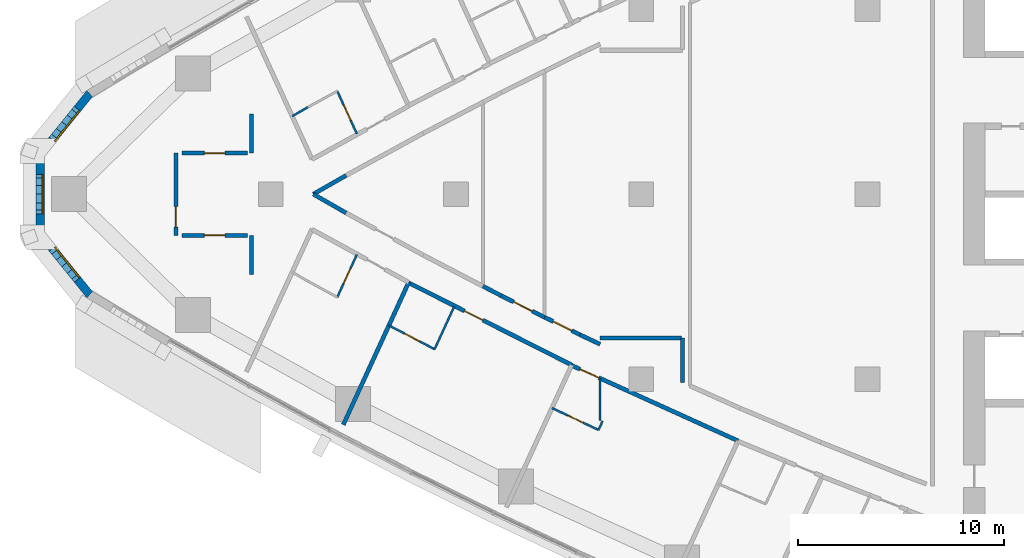
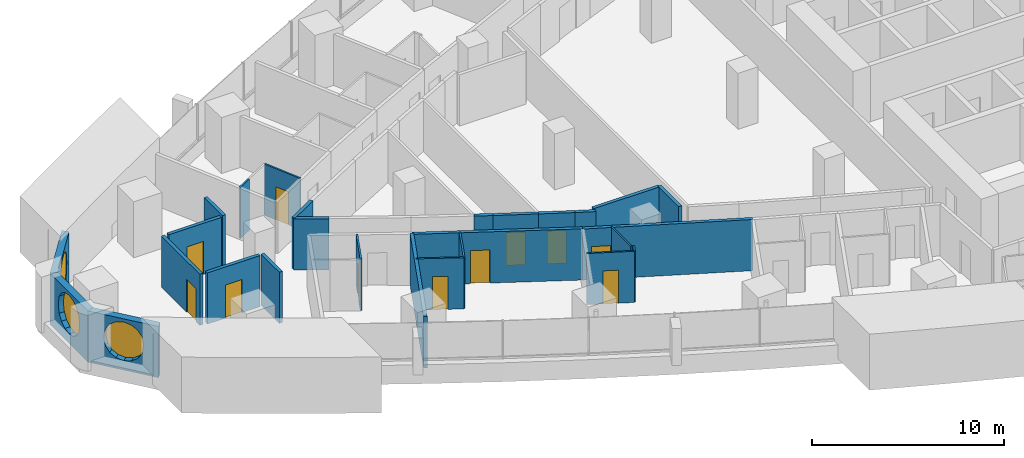
# One storey, part 8 of 17: 27 walls, 11 doors, 3 windows, 14 openings.
"""IFC4 building model written with IfcOpenShell, lengths in metres."""

from ifc_helpers import new_model, si_unit, direction, frame, frame_2d, origin, place, context, subcontext, project, spatial, polyline, rectangle, outline, extrude, material, layer, layer_set, type_object, element, fill, save


model = new_model("IFC4")

# Units and contexts
model_context = context("Model", 3, precision=1e-05, world=origin(), true_north=direction((0.0, 1.0)))
body_context = subcontext(model_context, "Body", "Model", "MODEL_VIEW")
ifc_project = project(units=[si_unit("LENGTHUNIT", "METRE"), si_unit("AREAUNIT", "SQUARE_METRE"), si_unit("VOLUMEUNIT", "CUBIC_METRE"), si_unit("PLANEANGLEUNIT", "RADIAN"), si_unit("MASSUNIT", "GRAM", prefix="KILO")], contexts=[model_context])

# Site, building, storey
site_placement = place(None, origin())
site = spatial("IfcSite", under=ifc_project, at=site_placement, CompositionType="ELEMENT")
building_placement = place(site_placement, origin())
building = spatial("IfcBuilding", under=site, at=building_placement, Name="Ostrand Prow Hotel Tower", CompositionType="ELEMENT")
storey_placement = place(building_placement, frame((0.0, 0.0, 113.300048828125)))
storey = spatial("IfcBuildingStorey", under=building, at=storey_placement, Name="L27", CompositionType="ELEMENT", Elevation=113.300048828125)

# Wall
ifc_material_1 = material(Name="Plasterboard partition")
ifc_layer_1 = layer(ifc_material_1, 0.10009765625)
ifc_layer_set_1 = layer_set([ifc_layer_1], Name="Plasterboard partition")
wall_type_1 = type_object("IfcWallType", Name="Partition 100 bathroom wall", PredefinedType="PARTITIONING", material=ifc_layer_set_1)
wall_1_placement = place(storey_placement, frame((17.0361328125, 3.7900390625, 0.0), z_axis=(0.0, 0.0, 1.0), x_axis=(0.867629162742, 0.497211862248, 0.0)))
element("IfcWall", 1, at=wall_1_placement, inside=storey, type_object=wall_type_1, Name="BATHROOM WALL", PredefinedType="PARTITIONING", context=body_context, shape_type="SweptSolid", body=[
    extrude(rectangle(XDim=0.8818359375, YDim=0.10009765625, at=frame_2d((0.44091796875, 0.0))), origin(), (0.0, 0.0, 1.0), 3.25),
])

# Wall, opening, door
wall_2_placement = place(storey_placement, frame((19.2275390625, 5.00830078125, 0.0), z_axis=(0.0, 0.0, 1.0), x_axis=(0.417450047292, -0.908699872354, 0.0)))
wall_2 = element("IfcWall", 2, at=wall_2_placement, inside=storey, type_object=wall_type_1, Name="BATHROOM WALL", PredefinedType="PARTITIONING", context=body_context, shape_type="SweptSolid", body=[
    extrude(rectangle(XDim=2.28271484375, YDim=0.10009765625, at=frame_2d((1.141357421875, 0.0))), origin(), (0.0, 0.0, 1.0), 3.25),
])
opening_1_placement = place(wall_2_placement, frame((0.75, 0.0, 0.0)))
opening_1 = element("IfcOpeningElement", 3, at=opening_1_placement, cuts=wall_2, Name="Opening D2", PredefinedType="OPENING", context=body_context, shape_type="SweptSolid", body=[
    extrude(rectangle(XDim=0.800048828125, YDim=2.10009765625, at=frame_2d((0.39990234375, 1.050048828125))), frame((0.0, 0.06005859375, 0.0), z_axis=(0.0, -1.0, 0.0), x_axis=(1.0, 0.0, 0.0)), (0.0, 0.0, 1.0), 0.1201171875),
])
ifc_material_2 = material(Name="Timber door leaf", Category="wood")
door_type_1 = type_object("IfcDoorType", Name="Bathroom door 800", OperationType="SINGLE_SWING_LEFT", PredefinedType="DOOR", material=ifc_material_2)
door_1_placement = place(opening_1_placement, origin())
door_1 = element("IfcDoor", 4, at=door_1_placement, inside=storey, type_object=door_type_1, Name="DOOR", OperationType="SINGLE_SWING_LEFT", OverallHeight=2.10009765625, OverallWidth=0.800048828125, PredefinedType="DOOR", context=body_context, shape_type="SweptSolid", body=[
    extrude(rectangle(XDim=0.800048828125, YDim=2.10009765625, at=frame_2d((0.39990234375, 1.050048828125))), frame((0.0, 0.02490234375, 0.0), z_axis=(0.0, -1.0, 0.0), x_axis=(1.0, 0.0, 0.0)), (0.0, 0.0, 1.0), 0.050048828125),
])
fill(opening_1, door_1)

wall_3_placement = place(storey_placement, frame((20.180419921875, -2.93408203125, 0.0), z_axis=(0.0, 0.0, 1.0), x_axis=(-0.417450047292, -0.908699872354, 0.0)))
wall_3 = element("IfcWall", 5, at=wall_3_placement, inside=storey, type_object=wall_type_1, Name="BATHROOM WALL", PredefinedType="PARTITIONING", context=body_context, shape_type="SweptSolid", body=[
    extrude(rectangle(XDim=2.28271484375, YDim=0.10009765625, at=frame_2d((1.141357421875, 0.0))), origin(), (0.0, 0.0, 1.0), 3.25),
])
opening_2_placement = place(wall_3_placement, frame((0.75, 0.0, 0.0)))
opening_2 = element("IfcOpeningElement", 6, at=opening_2_placement, cuts=wall_3, Name="Opening D2", PredefinedType="OPENING", context=body_context, shape_type="SweptSolid", body=[
    extrude(rectangle(XDim=0.800048828125, YDim=2.10009765625, at=frame_2d((0.39990234375, 1.050048828125))), frame((0.0, 0.06005859375, 0.0), z_axis=(0.0, -1.0, 0.0), x_axis=(1.0, 0.0, 0.0)), (0.0, 0.0, 1.0), 0.1201171875),
])
door_2_placement = place(opening_2_placement, origin())
door_2 = element("IfcDoor", 7, at=door_2_placement, inside=storey, type_object=door_type_1, Name="DOOR", OperationType="SINGLE_SWING_LEFT", OverallHeight=2.10009765625, OverallWidth=0.800048828125, PredefinedType="DOOR", context=body_context, shape_type="SweptSolid", body=[
    extrude(rectangle(XDim=0.800048828125, YDim=2.10009765625, at=frame_2d((0.39990234375, 1.050048828125))), frame((0.0, 0.02490234375, 0.0), z_axis=(0.0, -1.0, 0.0), x_axis=(1.0, 0.0, 0.0)), (0.0, 0.0, 1.0), 0.050048828125),
])
fill(opening_2, door_2)

# Wall
wall_4_placement = place(storey_placement, frame((24.9091796875, -5.4619140625, 0.0), z_axis=(0.0, 0.0, 1.0), x_axis=(-0.417454762401, -0.908697706253, 0.0)))
element("IfcWall", 8, at=wall_4_placement, inside=storey, type_object=wall_type_1, Name="BATHROOM WALL", PredefinedType="PARTITIONING", context=body_context, shape_type="SweptSolid", body=[
    extrude(rectangle(XDim=2.27978515625, YDim=0.10009765625, at=frame_2d((1.139892578125, 0.0))), origin(), (0.0, 0.0, 1.0), 3.25),
])

# Wall, opening, door
wall_5_placement = place(storey_placement, frame((23.95751953125, -7.533447265625, 0.0), z_axis=(0.0, 0.0, 1.0), x_axis=(-0.886911586599, 0.461939214135, 0.0)))
wall_5 = element("IfcWall", 9, at=wall_5_placement, inside=storey, type_object=wall_type_1, Name="BATHROOM WALL", PredefinedType="PARTITIONING", context=body_context, shape_type="SweptSolid", body=[
    extrude(rectangle(XDim=2.5029296875, YDim=0.10009765625, at=frame_2d((1.25146484375, 0.0))), origin(), (0.0, 0.0, 1.0), 3.25),
])
opening_3_placement = place(wall_5_placement, frame((0.85009765625, 0.0, 0.0)))
opening_3 = element("IfcOpeningElement", 10, at=opening_3_placement, cuts=wall_5, Name="Opening D2", PredefinedType="OPENING", context=body_context, shape_type="SweptSolid", body=[
    extrude(rectangle(XDim=0.800048828125, YDim=2.10009765625, at=frame_2d((0.39990234375, 1.050048828125))), frame((0.0, 0.06005859375, 0.0), z_axis=(0.0, -1.0, 0.0), x_axis=(1.0, 0.0, 0.0)), (0.0, 0.0, 1.0), 0.1201171875),
])
door_3_placement = place(opening_3_placement, origin())
door_3 = element("IfcDoor", 11, at=door_3_placement, inside=storey, type_object=door_type_1, Name="DOOR", OperationType="SINGLE_SWING_LEFT", OverallHeight=2.10009765625, OverallWidth=0.800048828125, PredefinedType="DOOR", context=body_context, shape_type="SweptSolid", body=[
    extrude(rectangle(XDim=0.800048828125, YDim=2.10009765625, at=frame_2d((0.39990234375, 1.050048828125))), frame((0.0, 0.02490234375, 0.0), z_axis=(0.0, -1.0, 0.0), x_axis=(1.0, 0.0, 0.0)), (0.0, 0.0, 1.0), 0.050048828125),
])
fill(opening_3, door_3)

# Wall
wall_6_placement = place(storey_placement, frame((32.123779296875, -11.022216796875, 0.0), z_axis=(0.0, 0.0, 1.0), x_axis=(-0.4176025781, -0.908629785316, 0.0)))
element("IfcWall", 12, at=wall_6_placement, inside=storey, type_object=wall_type_1, Name="BATHROOM WALL", PredefinedType="PARTITIONING", context=body_context, shape_type="SweptSolid", body=[
    extrude(rectangle(XDim=0.478759765625, YDim=0.10009765625, at=frame_2d((0.2392578125, 0.0))), origin(), (0.0, 0.0, 1.0), 3.25),
])

# Wall, opening, door
wall_7_placement = place(storey_placement, frame((31.923828125, -11.457275390625, 0.0), z_axis=(0.0, 0.0, 1.0), x_axis=(-0.904688082375, 0.426074493027, 0.0)))
wall_7 = element("IfcWall", 13, at=wall_7_placement, inside=storey, type_object=wall_type_1, Name="BATHROOM WALL", PredefinedType="PARTITIONING", context=body_context, shape_type="SweptSolid", body=[
    extrude(rectangle(XDim=2.5, YDim=0.10009765625, at=frame_2d((1.25, 0.0))), origin(), (0.0, 0.0, 1.0), 3.25),
])
opening_4_placement = place(wall_7_placement, frame((0.85009765625, 0.0, 0.0)))
opening_4 = element("IfcOpeningElement", 14, at=opening_4_placement, cuts=wall_7, Name="Opening D2", PredefinedType="OPENING", context=body_context, shape_type="SweptSolid", body=[
    extrude(rectangle(XDim=0.800048828125, YDim=2.10009765625, at=frame_2d((0.39990234375, 1.050048828125))), frame((0.0, 0.06005859375, 0.0), z_axis=(0.0, -1.0, 0.0), x_axis=(1.0, 0.0, 0.0)), (0.0, 0.0, 1.0), 0.1201171875),
])
door_4_placement = place(opening_4_placement, origin())
door_4 = element("IfcDoor", 15, at=door_4_placement, inside=storey, type_object=door_type_1, Name="DOOR", OperationType="SINGLE_SWING_LEFT", OverallHeight=2.10009765625, OverallWidth=0.800048828125, PredefinedType="DOOR", context=body_context, shape_type="SweptSolid", body=[
    extrude(rectangle(XDim=0.800048828125, YDim=2.10009765625, at=frame_2d((0.39990234375, 1.050048828125))), frame((0.0, 0.02490234375, 0.0), z_axis=(0.0, -1.0, 0.0), x_axis=(1.0, 0.0, 0.0)), (0.0, 0.0, 1.0), 0.050048828125),
])
fill(opening_4, door_4)

# Wall
wall_8_placement = place(storey_placement, frame((31.9951171875, -8.9541015625, 0.0), z_axis=(0.0, 0.0, 1.0), x_axis=(0.0, -1.0, 0.0)))
element("IfcWall", 16, at=wall_8_placement, inside=storey, type_object=wall_type_1, Name="BATHROOM WALL", PredefinedType="PARTITIONING", context=body_context, shape_type="SweptSolid", body=[
    extrude(rectangle(XDim=2.04638671875, YDim=0.10009765625, at=frame_2d((1.023193359375, 0.0))), origin(), (0.0, 0.0, 1.0), 3.25),
])

# Wall, opening, door
ifc_material_3 = material(Name="Plasterboard partition")
ifc_layer_2 = layer(ifc_material_3, 0.199951171875)
ifc_layer_set_2 = layer_set([ifc_layer_2], Name="Plasterboard partition")
wall_type_2 = type_object("IfcWallType", Name="Partition 200 corridor wall", PredefinedType="PARTITIONING", material=ifc_layer_set_2)
wall_9_placement = place(storey_placement, frame((11.685302734375, 2.0, 0.0), z_axis=(0.0, 0.0, 1.0), x_axis=(1.0, 0.0, 0.0)))
wall_9 = element("IfcWall", 17, at=wall_9_placement, inside=storey, type_object=wall_type_2, Name="CORRIDOR WALL", PredefinedType="PARTITIONING", context=body_context, shape_type="SweptSolid", body=[
    extrude(rectangle(XDim=3.16845703125, YDim=0.199951171875, at=frame_2d((1.584228515625, 0.0))), origin(), (0.0, 0.0, 1.0), 3.25),
])
opening_5_placement = place(wall_9_placement, frame((1.084228515625, 0.0, 0.0)))
opening_5 = element("IfcOpeningElement", 18, at=opening_5_placement, cuts=wall_9, Name="Opening D1", PredefinedType="OPENING", context=body_context, shape_type="SweptSolid", body=[
    extrude(rectangle(XDim=1.0, YDim=2.10009765625, at=frame_2d((0.5, 1.050048828125))), frame((0.0, 0.10986328125, 0.0), z_axis=(0.0, -1.0, 0.0), x_axis=(1.0, 0.0, 0.0)), (0.0, 0.0, 1.0), 0.219970703125),
])
ifc_material_4 = material(Name="Timber door leaf", Category="wood")
door_type_2 = type_object("IfcDoorType", Name="Guest room door 1000", OperationType="SINGLE_SWING_LEFT", PredefinedType="DOOR", material=ifc_material_4)
door_5_placement = place(opening_5_placement, origin())
door_5 = element("IfcDoor", 19, at=door_5_placement, inside=storey, type_object=door_type_2, Name="DOOR", OperationType="SINGLE_SWING_LEFT", OverallHeight=2.10009765625, OverallWidth=1.0, PredefinedType="DOOR", context=body_context, shape_type="SweptSolid", body=[
    extrude(rectangle(XDim=1.0, YDim=2.10009765625, at=frame_2d((0.5, 1.050048828125))), frame((0.0, 0.02490234375, 0.0), z_axis=(0.0, -1.0, 0.0), x_axis=(1.0, 0.0, 0.0)), (0.0, 0.0, 1.0), 0.050048828125),
])
fill(opening_5, door_5)

wall_10_placement = place(storey_placement, frame((11.685302734375, -2.0, 0.0), z_axis=(0.0, 0.0, 1.0), x_axis=(1.0, 0.0, 0.0)))
wall_10 = element("IfcWall", 20, at=wall_10_placement, inside=storey, type_object=wall_type_2, Name="CORRIDOR WALL", PredefinedType="PARTITIONING", context=body_context, shape_type="SweptSolid", body=[
    extrude(rectangle(XDim=3.16845703125, YDim=0.199951171875, at=frame_2d((1.584228515625, 0.0))), origin(), (0.0, 0.0, 1.0), 3.25),
])
opening_6_placement = place(wall_10_placement, frame((1.084228515625, 0.0, 0.0)))
opening_6 = element("IfcOpeningElement", 21, at=opening_6_placement, cuts=wall_10, Name="Opening D1R", PredefinedType="OPENING", context=body_context, shape_type="SweptSolid", body=[
    extrude(rectangle(XDim=1.0, YDim=2.10009765625, at=frame_2d((0.5, 1.050048828125))), frame((0.0, 0.10986328125, 0.0), z_axis=(0.0, -1.0, 0.0), x_axis=(1.0, 0.0, 0.0)), (0.0, 0.0, 1.0), 0.219970703125),
])
ifc_material_5 = material(Name="Timber door leaf", Category="wood")
door_type_3 = type_object("IfcDoorType", Name="Guest room door 1000 right", OperationType="SINGLE_SWING_RIGHT", PredefinedType="DOOR", material=ifc_material_5)
door_6_placement = place(opening_6_placement, origin())
door_6 = element("IfcDoor", 22, at=door_6_placement, inside=storey, type_object=door_type_3, Name="DOOR", OperationType="SINGLE_SWING_RIGHT", OverallHeight=2.10009765625, OverallWidth=1.0, PredefinedType="DOOR", context=body_context, shape_type="SweptSolid", body=[
    extrude(rectangle(XDim=1.0, YDim=2.10009765625, at=frame_2d((0.5, 1.050048828125))), frame((0.0, 0.02490234375, 0.0), z_axis=(0.0, -1.0, 0.0), x_axis=(1.0, 0.0, 0.0)), (0.0, 0.0, 1.0), 0.050048828125),
])
fill(opening_6, door_6)

wall_11_placement = place(storey_placement, frame((22.6904296875, -4.302490234375, 0.0), z_axis=(0.0, 0.0, 1.0), x_axis=(0.892904919467, -0.450245271815, 0.0)))
wall_11 = element("IfcWall", 23, at=wall_11_placement, inside=storey, type_object=wall_type_2, Name="CORRIDOR WALL", PredefinedType="PARTITIONING", context=body_context, shape_type="SweptSolid", body=[
    extrude(rectangle(XDim=8.883056640625, YDim=0.199951171875, at=frame_2d((4.44140625, 0.0))), origin(), (0.0, 0.0, 1.0), 3.25),
])
opening_7_placement = place(wall_11_placement, frame((3.050048828125, 0.0, 0.0)))
opening_7 = element("IfcOpeningElement", 24, at=opening_7_placement, cuts=wall_11, Name="Opening D1R", PredefinedType="OPENING", context=body_context, shape_type="SweptSolid", body=[
    extrude(rectangle(XDim=1.0, YDim=2.10009765625, at=frame_2d((0.5, 1.050048828125))), frame((0.0, 0.10986328125, 0.0), z_axis=(0.0, -1.0, 0.0), x_axis=(1.0, 0.0, 0.0)), (0.0, 0.0, 1.0), 0.219970703125),
])
door_7_placement = place(opening_7_placement, origin())
door_7 = element("IfcDoor", 25, at=door_7_placement, inside=storey, type_object=door_type_3, Name="DOOR", OperationType="SINGLE_SWING_RIGHT", OverallHeight=2.10009765625, OverallWidth=1.0, PredefinedType="DOOR", context=body_context, shape_type="SweptSolid", body=[
    extrude(rectangle(XDim=1.0, YDim=2.10009765625, at=frame_2d((0.5, 1.050048828125))), frame((0.0, 0.02490234375, 0.0), z_axis=(0.0, -1.0, 0.0), x_axis=(1.0, 0.0, 0.0)), (0.0, 0.0, 1.0), 0.050048828125),
])
fill(opening_7, door_7)

wall_12_placement = place(storey_placement, frame((30.61376953125, -8.320068359375, 0.0), z_axis=(0.0, 0.0, 1.0), x_axis=(0.910751030363, -0.41295588226, 0.0)))
wall_12 = element("IfcWall", 26, at=wall_12_placement, inside=storey, type_object=wall_type_2, Name="CORRIDOR WALL", PredefinedType="PARTITIONING", context=body_context, shape_type="SweptSolid", body=[
    extrude(rectangle(XDim=8.88330078125, YDim=0.199951171875, at=frame_2d((4.441650390625, 0.0))), origin(), (0.0, 0.0, 1.0), 3.25),
])
opening_8_placement = place(wall_12_placement, frame((0.449951171875, 0.0, 0.0)))
opening_8 = element("IfcOpeningElement", 27, at=opening_8_placement, cuts=wall_12, Name="Opening D1R", PredefinedType="OPENING", context=body_context, shape_type="SweptSolid", body=[
    extrude(rectangle(XDim=1.0, YDim=2.10009765625, at=frame_2d((0.5, 1.050048828125))), frame((0.0, 0.10986328125, 0.0), z_axis=(0.0, -1.0, 0.0), x_axis=(1.0, 0.0, 0.0)), (0.0, 0.0, 1.0), 0.219970703125),
])
door_8_placement = place(opening_8_placement, origin())
door_8 = element("IfcDoor", 28, at=door_8_placement, inside=storey, type_object=door_type_3, Name="DOOR", OperationType="SINGLE_SWING_RIGHT", OverallHeight=2.10009765625, OverallWidth=1.0, PredefinedType="DOOR", context=body_context, shape_type="SweptSolid", body=[
    extrude(rectangle(XDim=1.0, YDim=2.10009765625, at=frame_2d((0.5, 1.050048828125))), frame((0.0, 0.02490234375, 0.0), z_axis=(0.0, -1.0, 0.0), x_axis=(1.0, 0.0, 0.0)), (0.0, 0.0, 1.0), 0.050048828125),
])
fill(opening_8, door_8)

# Walls
for number, where, z_axis, x_axis, name in (
    (29, (19.6572265625, -0.912353515625, 0.0), (0.0, 0.0, 1.0), (-0.867694156962, 0.49709843087, 0.0), "CORRIDOR WALL"),
    (30, (18.064697265625, 0.0, 0.0), (0.0, 0.0, 1.0), (0.867694156962, 0.49709843087, 0.0), "CORRIDOR WALL"),
):
    element("IfcWall", number, at=place(storey_placement, frame(where, z_axis=z_axis, x_axis=x_axis)), inside=storey, type_object=wall_type_2, Name=name, PredefinedType="PARTITIONING", context=body_context, shape_type="SweptSolid", body=[
        extrude(rectangle(XDim=1.83544921875, YDim=0.199951171875, at=frame_2d((0.917724609375, 0.0))), origin(), (0.0, 0.0, 1.0), 3.25),
    ])

# Wall, opening, door
wall_13_placement = place(storey_placement, frame((29.30810546875, -5.982666015625, 0.0), z_axis=(0.0, 0.0, 1.0), x_axis=(-0.895954899574, 0.444145041546, 0.0)))
wall_13 = element("IfcWall", 31, at=wall_13_placement, inside=storey, type_object=wall_type_2, Name="CORRIDOR WALL", PredefinedType="PARTITIONING", context=body_context, shape_type="SweptSolid", body=[
    extrude(rectangle(XDim=2.357177734375, YDim=0.199951171875, at=frame_2d((1.1787109375, 0.0))), origin(), (0.0, 0.0, 1.0), 3.25),
])
opening_9_placement = place(wall_13_placement, frame((0.678466796875, 0.0, 0.0)))
opening_9 = element("IfcOpeningElement", 32, at=opening_9_placement, cuts=wall_13, Name="Opening D1", PredefinedType="OPENING", context=body_context, shape_type="SweptSolid", body=[
    extrude(rectangle(XDim=1.0, YDim=2.10009765625, at=frame_2d((0.5, 1.050048828125))), frame((0.0, 0.10986328125, 0.0), z_axis=(0.0, -1.0, 0.0), x_axis=(1.0, 0.0, 0.0)), (0.0, 0.0, 1.0), 0.219970703125),
])
door_9_placement = place(opening_9_placement, origin())
door_9 = element("IfcDoor", 33, at=door_9_placement, inside=storey, type_object=door_type_2, Name="DOOR", OperationType="SINGLE_SWING_LEFT", OverallHeight=2.10009765625, OverallWidth=1.0, PredefinedType="DOOR", context=body_context, shape_type="SweptSolid", body=[
    extrude(rectangle(XDim=1.0, YDim=2.10009765625, at=frame_2d((0.5, 1.050048828125))), frame((0.0, 0.02490234375, 0.0), z_axis=(0.0, -1.0, 0.0), x_axis=(1.0, 0.0, 0.0)), (0.0, 0.0, 1.0), 0.050048828125),
])
fill(opening_9, door_9)

# Wall
wall_14_placement = place(storey_placement, frame((27.1962890625, -4.935791015625, 0.0), z_axis=(0.0, 0.0, 1.0), x_axis=(-0.886893275317, 0.461974369633, 0.0)))
element("IfcWall", 34, at=wall_14_placement, inside=storey, type_object=wall_type_2, Name="CORRIDOR WALL", PredefinedType="PARTITIONING", context=body_context, shape_type="SweptSolid", body=[
    extrude(rectangle(XDim=1.00146484375, YDim=0.199951171875, at=frame_2d((0.500732421875, 0.0))), origin(), (0.0, 0.0, 1.0), 3.25),
])

# Wall, opening, door
wall_15_placement = place(storey_placement, frame((31.02490234375, -6.83349609375, 0.0), z_axis=(0.0, 0.0, 1.0), x_axis=(-0.896001589052, 0.444050844404, 0.0)))
wall_15 = element("IfcWall", 35, at=wall_15_placement, inside=storey, type_object=wall_type_2, Name="CORRIDOR WALL", PredefinedType="PARTITIONING", context=body_context, shape_type="SweptSolid", body=[
    extrude(rectangle(XDim=1.916015625, YDim=0.199951171875, at=frame_2d((0.9580078125, 0.0))), origin(), (0.0, 0.0, 1.0), 3.25),
])
opening_10_placement = place(wall_15_placement, frame((0.4580078125, 0.0, 0.0)))
opening_10 = element("IfcOpeningElement", 36, at=opening_10_placement, cuts=wall_15, Name="Opening D1R", PredefinedType="OPENING", context=body_context, shape_type="SweptSolid", body=[
    extrude(rectangle(XDim=1.0, YDim=2.10009765625, at=frame_2d((0.5, 1.050048828125))), frame((0.0, 0.10986328125, 0.0), z_axis=(0.0, -1.0, 0.0), x_axis=(1.0, 0.0, 0.0)), (0.0, 0.0, 1.0), 0.219970703125),
])
door_10_placement = place(opening_10_placement, origin())
door_10 = element("IfcDoor", 37, at=door_10_placement, inside=storey, type_object=door_type_3, Name="DOOR", OperationType="SINGLE_SWING_RIGHT", OverallHeight=2.10009765625, OverallWidth=1.0, PredefinedType="DOOR", context=body_context, shape_type="SweptSolid", body=[
    extrude(rectangle(XDim=1.0, YDim=2.10009765625, at=frame_2d((0.5, 1.050048828125))), frame((0.0, 0.02490234375, 0.0), z_axis=(0.0, -1.0, 0.0), x_axis=(1.0, 0.0, 0.0)), (0.0, 0.0, 1.0), 0.050048828125),
])
fill(opening_10, door_10)

# Walls
wall_16_placement = place(storey_placement, frame((32.0, -7.292724609375, 0.0), z_axis=(0.0, 0.0, 1.0), x_axis=(-0.904690325494, 0.426069730159, 0.0)))
element("IfcWall", 38, at=wall_16_placement, inside=storey, type_object=wall_type_2, Name="CORRIDOR WALL", PredefinedType="PARTITIONING", context=body_context, shape_type="SweptSolid", body=[
    extrude(rectangle(XDim=1.077880859375, YDim=0.199951171875, at=frame_2d((0.5390625, 0.0))), origin(), (0.0, 0.0, 1.0), 3.25),
])
wall_17_placement = place(storey_placement, frame((36.0048828125, -9.146484375, 0.0), z_axis=(0.0, 0.0, 1.0), x_axis=(-0.001135073049, 0.999999355804, 0.0)))
element("IfcWall", 39, at=wall_17_placement, inside=storey, type_object=wall_type_2, Name="CORRIDOR WALL", PredefinedType="PARTITIONING", context=body_context, shape_type="SweptSolid", body=[
    extrude(rectangle(XDim=2.15087890625, YDim=0.199951171875, at=frame_2d((1.075439453125, 0.0))), origin(), (0.0, 0.0, 1.0), 3.25),
])
wall_18_placement = place(storey_placement, frame((35.96240234375, -6.99560546875, 0.0), z_axis=(0.0, 0.0, 1.0), x_axis=(-0.999999992409, 0.000123213405, 0.0)))
element("IfcWall", 40, at=wall_18_placement, inside=storey, type_object=wall_type_2, Name="CORRIDOR WALL", PredefinedType="PARTITIONING", context=body_context, shape_type="SweptSolid", body=[
    extrude(rectangle(XDim=3.962890625, YDim=0.199951171875, at=frame_2d((1.9814453125, 0.0))), origin(), (0.0, 0.0, 1.0), 3.25),
])
wall_19_placement = place(storey_placement, frame((15.0537109375, 3.90869140625, 0.0), z_axis=(0.0, 0.0, 1.0), x_axis=(0.0, -1.0, 0.0)))
element("IfcWall", 41, at=wall_19_placement, inside=storey, type_object=wall_type_2, Name="CORRIDOR WALL", PredefinedType="PARTITIONING", context=body_context, shape_type="SweptSolid", body=[
    extrude(rectangle(XDim=1.90380859375, YDim=0.199951171875, at=frame_2d((0.951904296875, 0.0))), origin(), (0.0, 0.0, 1.0), 3.25),
])
wall_20_placement = place(storey_placement, frame((15.0537109375, -2.0048828125, 0.0), z_axis=(0.0, 0.0, 1.0), x_axis=(0.0, -1.0, 0.0)))
element("IfcWall", 42, at=wall_20_placement, inside=storey, type_object=wall_type_2, Name="CORRIDOR WALL", PredefinedType="PARTITIONING", context=body_context, shape_type="SweptSolid", body=[
    extrude(rectangle(XDim=1.907958984375, YDim=0.199951171875, at=frame_2d((0.9541015625, 0.0))), origin(), (0.0, 0.0, 1.0), 3.25),
])
ifc_material_6 = material(Name="Plasterboard partition")
ifc_layer_3 = layer(ifc_material_6, 0.199951171875)
ifc_layer_set_3 = layer_set([ifc_layer_3], Name="Plasterboard partition")
wall_type_3 = type_object("IfcWallType", Name="Partition 200 key partition", PredefinedType="PARTITIONING", material=ifc_layer_set_3)
wall_21_placement = place(storey_placement, frame((19.5224609375, -11.19921875, 0.0), z_axis=(0.0, 0.0, 1.0), x_axis=(0.417413534969, 0.908716644959, 0.0)))
element("IfcWall", 43, at=wall_21_placement, inside=storey, type_object=wall_type_3, Name="KEY PARTITION", PredefinedType="PARTITIONING", context=body_context, shape_type="SweptSolid", body=[
    extrude(rectangle(XDim=7.609375, YDim=0.199951171875, at=frame_2d((3.8046875, 0.0))), origin(), (0.0, 0.0, 1.0), 3.25),
])

# Wall, opening, door
ifc_material_7 = material(Name="Plasterboard partition")
ifc_layer_4 = layer(ifc_material_7, 0.199951171875)
ifc_layer_set_4 = layer_set([ifc_layer_4], Name="Plasterboard partition")
wall_type_4 = type_object("IfcWallType", Name="Partition 200 lounge wall", PredefinedType="PARTITIONING", material=ifc_layer_set_4)
wall_22_placement = place(storey_placement, frame((11.385498046875, -2.0, 0.0), z_axis=(0.0, 0.0, 1.0), x_axis=(0.0, 1.0, 0.0)))
wall_22 = element("IfcWall", 44, at=wall_22_placement, inside=storey, type_object=wall_type_4, Name="LOUNGE WALL", PredefinedType="PARTITIONING", context=body_context, shape_type="SweptSolid", body=[
    extrude(rectangle(XDim=4.0, YDim=0.199951171875, at=frame_2d((2.0, 0.0))), origin(), (0.0, 0.0, 1.0), 3.25),
])
opening_11_placement = place(wall_22_placement, frame((0.39990234375, 0.0, 0.0)))
opening_11 = element("IfcOpeningElement", 45, at=opening_11_placement, cuts=wall_22, Name="Opening D1", PredefinedType="OPENING", context=body_context, shape_type="SweptSolid", body=[
    extrude(rectangle(XDim=1.0, YDim=2.10009765625, at=frame_2d((0.5, 1.050048828125))), frame((0.0, 0.10986328125, 0.0), z_axis=(0.0, -1.0, 0.0), x_axis=(1.0, 0.0, 0.0)), (0.0, 0.0, 1.0), 0.219970703125),
])
door_11_placement = place(opening_11_placement, origin())
door_11 = element("IfcDoor", 46, at=door_11_placement, inside=storey, type_object=door_type_2, Name="DOOR", OperationType="SINGLE_SWING_LEFT", OverallHeight=2.10009765625, OverallWidth=1.0, PredefinedType="DOOR", context=body_context, shape_type="SweptSolid", body=[
    extrude(rectangle(XDim=1.0, YDim=2.10009765625, at=frame_2d((0.5, 1.050048828125))), frame((0.0, 0.02490234375, 0.0), z_axis=(0.0, -1.0, 0.0), x_axis=(1.0, 0.0, 0.0)), (0.0, 0.0, 1.0), 0.050048828125),
])
fill(opening_11, door_11)

# Wall, opening, window
ifc_material_8 = material(Name="Precast concrete C40/50", Category="concrete")
ifc_layer_5 = layer(ifc_material_8, 0.39990234375)
ifc_layer_set_5 = layer_set([ifc_layer_5], Name="Precast concrete C40/50")
wall_type_5 = type_object("IfcWallType", Name="Stone-faced precast wall 400 mm", PredefinedType="NOTDEFINED", material=ifc_layer_set_5)
wall_23_placement = place(storey_placement, frame((7.1943359375, 4.8876953125, 0.0), z_axis=(0.0, 0.0, 1.0), x_axis=(-0.62903486133, -0.777377092042, 0.0)))
wall_23 = element("IfcWall", 47, at=wall_23_placement, inside=storey, type_object=wall_type_5, Name="Stone-faced wall prow 2", PredefinedType="NOTDEFINED", context=body_context, shape_type="SweptSolid", body=[
    extrude(outline(polyline([(-0.035400390625, -0.199951171875), (3.897216796875, -0.199951171875), (3.755615234375, 0.199951171875), (0.035400390625, 0.199951171875), (-0.035400390625, -0.199951171875)])), origin(), (0.0, 0.0, 1.0), 3.25),
])
opening_12_placement = place(wall_23_placement, frame((0.813232421875, 0.0, 0.60009765625)))
opening_12 = element("IfcOpeningElement", 48, at=opening_12_placement, cuts=wall_23, Name="Opening WP1", PredefinedType="OPENING", context=body_context, shape_type="SweptSolid", body=[
    extrude(outline(polyline([(0.0, 1.35009765625), (0.083740234375, 1.77099609375), (0.322265625, 2.127685546875), (0.678955078125, 2.3662109375), (1.10009765625, 2.449951171875), (1.52099609375, 2.3662109375), (1.877685546875, 2.127685546875), (2.1162109375, 1.77099609375), (2.199951171875, 1.35009765625), (2.199951171875, 1.10009765625), (2.1162109375, 0.678955078125), (1.877685546875, 0.322265625), (1.52099609375, 0.083740234375), (1.10009765625, 0.0), (0.678955078125, 0.083740234375), (0.322265625, 0.322265625), (0.083740234375, 0.678955078125), (0.0, 1.099853515625), (0.0, 1.35009765625)])), frame((0.0, 0.2099609375, 0.0), z_axis=(0.0, -1.0, 0.0), x_axis=(1.0, 0.0, 0.0)), (0.0, 0.0, 1.0), 0.419921875),
])
ifc_material_9 = material(Name="Insulated glass in bronze frame", Category="glass")
window_type = type_object("IfcWindowType", Name="Round-ended prow window 2200x2450", PartitioningType="SINGLE_PANEL", PredefinedType="WINDOW", material=ifc_material_9)
window_1_placement = place(opening_12_placement, origin())
window_1 = element("IfcWindow", 49, at=window_1_placement, inside=storey, type_object=window_type, Name="Window prow 2.1", OverallHeight=2.449951171875, OverallWidth=2.199951171875, PartitioningType="SINGLE_PANEL", PredefinedType="WINDOW", context=body_context, shape_type="SweptSolid", body=[
    extrude(outline(polyline([(0.0, 1.35009765625), (0.083740234375, 1.77099609375), (0.322265625, 2.127685546875), (0.678955078125, 2.3662109375), (1.10009765625, 2.449951171875), (1.52099609375, 2.3662109375), (1.877685546875, 2.127685546875), (2.1162109375, 1.77099609375), (2.199951171875, 1.35009765625), (2.199951171875, 1.10009765625), (2.1162109375, 0.678955078125), (1.877685546875, 0.322265625), (1.52099609375, 0.083740234375), (1.10009765625, 0.0), (0.678955078125, 0.083740234375), (0.322265625, 0.322265625), (0.083740234375, 0.678955078125), (0.0, 1.099853515625), (0.0, 1.35009765625)])), frame((0.0, 0.169921875, 0.0), z_axis=(0.0, -1.0, 0.0), x_axis=(1.0, 0.0, 0.0)), (0.0, 0.0, 1.0), 0.06005859375),
])
fill(opening_12, window_1)

wall_24_placement = place(storey_placement, frame((4.787353515625, 1.9130859375, 0.0), z_axis=(0.0, 0.0, 1.0), x_axis=(0.0, -1.0, 0.0)))
wall_24 = element("IfcWall", 50, at=wall_24_placement, inside=storey, type_object=wall_type_5, Name="Stone-faced wall prow 3", PredefinedType="NOTDEFINED", context=body_context, shape_type="SweptSolid", body=[
    extrude(outline(polyline([(-0.07080078125, -0.199951171875), (3.89697265625, -0.199951171875), (3.75537109375, 0.199951171875), (0.07080078125, 0.199951171875), (-0.07080078125, -0.199951171875)])), origin(), (0.0, 0.0, 1.0), 3.25),
])
opening_13_placement = place(wall_24_placement, frame((0.813232421875, 0.0, 0.60009765625)))
opening_13 = element("IfcOpeningElement", 51, at=opening_13_placement, cuts=wall_24, Name="Opening WP1", PredefinedType="OPENING", context=body_context, shape_type="SweptSolid", body=[
    extrude(outline(polyline([(0.0, 1.35009765625), (0.083740234375, 1.77099609375), (0.322265625, 2.127685546875), (0.678955078125, 2.3662109375), (1.10009765625, 2.449951171875), (1.52099609375, 2.3662109375), (1.877685546875, 2.127685546875), (2.1162109375, 1.77099609375), (2.199951171875, 1.35009765625), (2.199951171875, 1.10009765625), (2.1162109375, 0.678955078125), (1.877685546875, 0.322265625), (1.52099609375, 0.083740234375), (1.10009765625, 0.0), (0.678955078125, 0.083740234375), (0.322265625, 0.322265625), (0.083740234375, 0.678955078125), (0.0, 1.099853515625), (0.0, 1.35009765625)])), frame((0.0, 0.2099609375, 0.0), z_axis=(0.0, -1.0, 0.0), x_axis=(1.0, 0.0, 0.0)), (0.0, 0.0, 1.0), 0.419921875),
])
window_2_placement = place(opening_13_placement, origin())
window_2 = element("IfcWindow", 52, at=window_2_placement, inside=storey, type_object=window_type, Name="Window prow 3.1", OverallHeight=2.449951171875, OverallWidth=2.199951171875, PartitioningType="SINGLE_PANEL", PredefinedType="WINDOW", context=body_context, shape_type="SweptSolid", body=[
    extrude(outline(polyline([(0.0, 1.35009765625), (0.083740234375, 1.77099609375), (0.322265625, 2.127685546875), (0.678955078125, 2.3662109375), (1.10009765625, 2.449951171875), (1.52099609375, 2.3662109375), (1.877685546875, 2.127685546875), (2.1162109375, 1.77099609375), (2.199951171875, 1.35009765625), (2.199951171875, 1.10009765625), (2.1162109375, 0.678955078125), (1.877685546875, 0.322265625), (1.52099609375, 0.083740234375), (1.10009765625, 0.0), (0.678955078125, 0.083740234375), (0.322265625, 0.322265625), (0.083740234375, 0.678955078125), (0.0, 1.099853515625), (0.0, 1.35009765625)])), frame((0.0, 0.169921875, 0.0), z_axis=(0.0, -1.0, 0.0), x_axis=(1.0, 0.0, 0.0)), (0.0, 0.0, 1.0), 0.06005859375),
])
fill(opening_13, window_2)

wall_25_placement = place(storey_placement, frame((4.787353515625, -1.9130859375, 0.0), z_axis=(0.0, 0.0, 1.0), x_axis=(0.62903486133, -0.777377092042, 0.0)))
wall_25 = element("IfcWall", 53, at=wall_25_placement, inside=storey, type_object=wall_type_5, Name="Stone-faced wall prow 4", PredefinedType="NOTDEFINED", context=body_context, shape_type="SweptSolid", body=[
    extrude(outline(polyline([(-0.07080078125, -0.199951171875), (3.86181640625, -0.199951171875), (3.791015625, 0.199951171875), (0.07080078125, 0.199951171875), (-0.07080078125, -0.199951171875)])), origin(), (0.0, 0.0, 1.0), 3.25),
])
opening_14_placement = place(wall_25_placement, frame((0.813232421875, 0.0, 0.60009765625)))
opening_14 = element("IfcOpeningElement", 54, at=opening_14_placement, cuts=wall_25, Name="Opening WP1", PredefinedType="OPENING", context=body_context, shape_type="SweptSolid", body=[
    extrude(outline(polyline([(0.0, 1.35009765625), (0.083740234375, 1.77099609375), (0.322265625, 2.127685546875), (0.678955078125, 2.3662109375), (1.10009765625, 2.449951171875), (1.52099609375, 2.3662109375), (1.877685546875, 2.127685546875), (2.1162109375, 1.77099609375), (2.199951171875, 1.35009765625), (2.199951171875, 1.10009765625), (2.1162109375, 0.678955078125), (1.877685546875, 0.322265625), (1.52099609375, 0.083740234375), (1.10009765625, 0.0), (0.678955078125, 0.083740234375), (0.322265625, 0.322265625), (0.083740234375, 0.678955078125), (0.0, 1.099853515625), (0.0, 1.35009765625)])), frame((0.0, 0.2099609375, 0.0), z_axis=(0.0, -1.0, 0.0), x_axis=(1.0, 0.0, 0.0)), (0.0, 0.0, 1.0), 0.419921875),
])
window_3_placement = place(opening_14_placement, origin())
window_3 = element("IfcWindow", 55, at=window_3_placement, inside=storey, type_object=window_type, Name="Window prow 4.1", OverallHeight=2.449951171875, OverallWidth=2.199951171875, PartitioningType="SINGLE_PANEL", PredefinedType="WINDOW", context=body_context, shape_type="SweptSolid", body=[
    extrude(outline(polyline([(0.0, 1.35009765625), (0.083740234375, 1.77099609375), (0.322265625, 2.127685546875), (0.678955078125, 2.3662109375), (1.10009765625, 2.449951171875), (1.52099609375, 2.3662109375), (1.877685546875, 2.127685546875), (2.1162109375, 1.77099609375), (2.199951171875, 1.35009765625), (2.199951171875, 1.10009765625), (2.1162109375, 0.678955078125), (1.877685546875, 0.322265625), (1.52099609375, 0.083740234375), (1.10009765625, 0.0), (0.678955078125, 0.083740234375), (0.322265625, 0.322265625), (0.083740234375, 0.678955078125), (0.0, 1.099853515625), (0.0, 1.35009765625)])), frame((0.0, 0.169921875, 0.0), z_axis=(0.0, -1.0, 0.0), x_axis=(1.0, 0.0, 0.0)), (0.0, 0.0, 1.0), 0.06005859375),
])
fill(opening_14, window_3)

save(model, "model.ifc")
